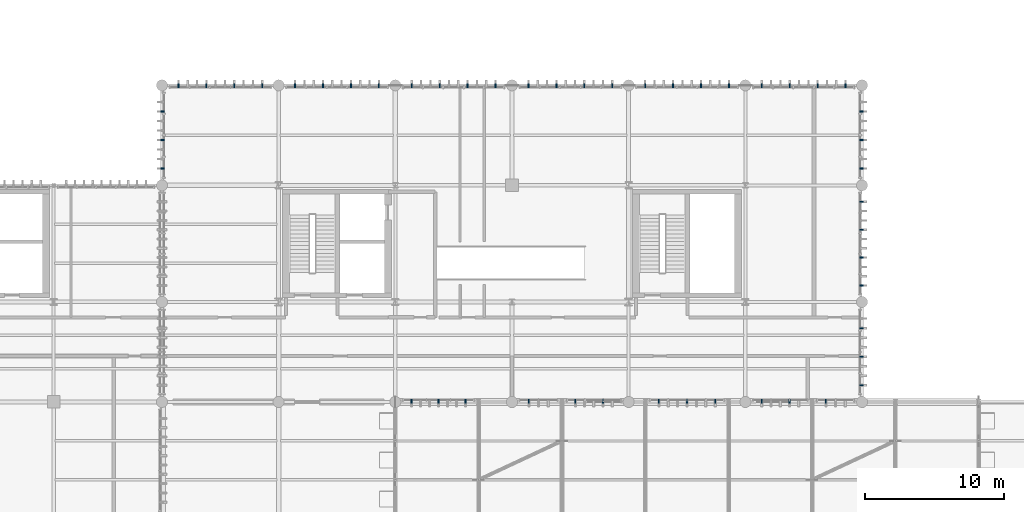
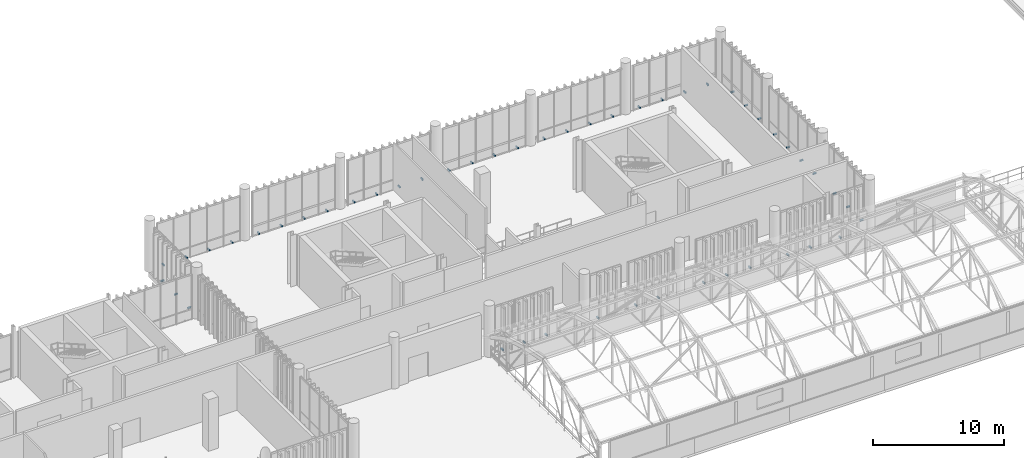
# One storey, part 99 of 109: 49 discrete accessories.
"""IFC4 building model written with IfcOpenShell, lengths in metres."""

from ifc_helpers import new_model, si_unit, direction, frame, origin_with_axes, origin_2d_with_axis, place, context, subcontext, project, spatial, rectangle, extrude, material, type_object, element, save


model = new_model("IFC4")

# Units and contexts
model_context = context("Model", 3, precision=1e-05, world=origin_with_axes(), true_north=direction((0.0, 1.0)))
body_context = subcontext(model_context, "Body", "Model", "MODEL_VIEW")
ifc_project = project(units=[si_unit("LENGTHUNIT", "METRE"), si_unit("AREAUNIT", "SQUARE_METRE"), si_unit("VOLUMEUNIT", "CUBIC_METRE"), si_unit("PLANEANGLEUNIT", "RADIAN"), si_unit("MASSUNIT", "GRAM", prefix="KILO"), si_unit("THERMODYNAMICTEMPERATUREUNIT", "KELVIN")], contexts=[model_context])

# Site, building, storey
site_placement = place(None, origin_with_axes())
site = spatial("IfcSite", under=ifc_project, at=site_placement, CompositionType="ELEMENT")
building_placement = place(site_placement, origin_with_axes())
building = spatial("IfcBuilding", under=site, at=building_placement, Name="Montbau Bow Law Courts", CompositionType="ELEMENT")
storey_placement = place(building_placement, frame((0.0, 0.0, 10.8), z_axis=(0.0, 0.0, 1.0), x_axis=(1.0, 0.0, 0.0)))
storey = spatial("IfcBuildingStorey", under=building, at=storey_placement, Name="L02", CompositionType="ELEMENT", Elevation=10.8)

# Discrete accessories
ifc_material = material(Name="Stainless Steel AISI 316L Outrigger Louvre Bracket", Category="steel")
discrete_accessory_type = type_object("IfcDiscreteAccessoryType", Name="DA-BRK-01", PredefinedType="BRACKET", material=ifc_material)
for number, where, z_axis, x_axis, name in (
    (1, (64.764, 39.04, 10.8), (0.0, 0.0, 1.0), (0.0, -1.0, 0.0), "BRK-L02-0535:brk_0535"),
    (2, (66.709, 39.04, 10.8), (0.0, 0.0, 1.0), (0.0, -1.0, 0.0), "BRK-L02-0536:brk_0536"),
    (3, (68.655, 39.04, 10.8), (0.0, 0.0, 1.0), (0.0, -1.0, 0.0), "BRK-L02-0537:brk_0537"),
    (4, (73.212, 39.04, 10.8), (0.0, 0.0, 1.0), (0.0, -1.0, 0.0), "BRK-L02-0538:brk_0538"),
    (5, (76.562, 39.04, 10.8), (0.0, 0.0, 1.0), (0.0, -1.0, 0.0), "BRK-L02-0539:brk_0539"),
    (6, (78.556, 39.04, 10.8), (0.0, 0.0, 1.0), (0.0, -1.0, 0.0), "BRK-L02-0540:brk_0540"),
    (7, (82.573, 39.04, 10.8), (0.0, 0.0, 1.0), (0.0, -1.0, 0.0), "BRK-L02-0541:brk_0541"),
    (8, (84.6, 39.04, 10.8), (0.0, 0.0, 1.0), (0.0, -1.0, 0.0), "BRK-L02-0542:brk_0542"),
    (9, (86.627, 39.04, 10.8), (0.0, 0.0, 1.0), (0.0, -1.0, 0.0), "BRK-L02-0543:brk_0543"),
    (10, (89.98, 39.04, 10.8), (0.0, 0.0, 1.0), (0.0, -1.0, 0.0), "BRK-L02-0544:brk_0544"),
    (11, (91.974, 39.04, 10.8), (0.0, 0.0, 1.0), (0.0, -1.0, 0.0), "BRK-L02-0545:brk_0545"),
    (12, (94.594, 39.04, 10.8), (0.0, 0.0, 1.0), (0.0, -1.0, 0.0), "BRK-L02-0546:brk_0546"),
    (13, (47.985, 61.76, 10.8), (0.0, 0.0, 1.0), (0.0, 1.0, 0.0), "BRK-L02-0547:brk_0547"),
    (14, (49.995, 61.76, 10.8), (0.0, 0.0, 1.0), (0.0, 1.0, 0.0), "BRK-L02-0548:brk_0548"),
    (15, (52.005, 61.76, 10.8), (0.0, 0.0, 1.0), (0.0, 1.0, 0.0), "BRK-L02-0549:brk_0549"),
    (16, (54.015, 61.76, 10.8), (0.0, 0.0, 1.0), (0.0, 1.0, 0.0), "BRK-L02-0550:brk_0550"),
    (17, (56.385, 61.76, 10.8), (0.0, 0.0, 1.0), (0.0, 1.0, 0.0), "BRK-L02-0551:brk_0551"),
    (18, (58.395, 61.76, 10.8), (0.0, 0.0, 1.0), (0.0, 1.0, 0.0), "BRK-L02-0552:brk_0552"),
    (19, (60.405, 61.76, 10.8), (0.0, 0.0, 1.0), (0.0, 1.0, 0.0), "BRK-L02-0553:brk_0553"),
    (20, (62.415, 61.76, 10.8), (0.0, 0.0, 1.0), (0.0, 1.0, 0.0), "BRK-L02-0554:brk_0554"),
    (21, (64.785, 61.76, 10.8), (0.0, 0.0, 1.0), (0.0, 1.0, 0.0), "BRK-L02-0555:brk_0555"),
    (22, (66.795, 61.76, 10.8), (0.0, 0.0, 1.0), (0.0, 1.0, 0.0), "BRK-L02-0556:brk_0556"),
    (23, (68.805, 61.76, 10.8), (0.0, 0.0, 1.0), (0.0, 1.0, 0.0), "BRK-L02-0557:brk_0557"),
    (24, (70.815, 61.76, 10.8), (0.0, 0.0, 1.0), (0.0, 1.0, 0.0), "BRK-L02-0558:brk_0558"),
    (25, (73.185, 61.76, 10.8), (0.0, 0.0, 1.0), (0.0, 1.0, 0.0), "BRK-L02-0559:brk_0559"),
    (26, (75.195, 61.76, 10.8), (0.0, 0.0, 1.0), (0.0, 1.0, 0.0), "BRK-L02-0560:brk_0560"),
    (27, (77.205, 61.76, 10.8), (0.0, 0.0, 1.0), (0.0, 1.0, 0.0), "BRK-L02-0561:brk_0561"),
    (28, (79.215, 61.76, 10.8), (0.0, 0.0, 1.0), (0.0, 1.0, 0.0), "BRK-L02-0562:brk_0562"),
    (29, (81.585, 61.76, 10.8), (0.0, 0.0, 1.0), (0.0, 1.0, 0.0), "BRK-L02-0563:brk_0563"),
    (30, (83.595, 61.76, 10.8), (0.0, 0.0, 1.0), (0.0, 1.0, 0.0), "BRK-L02-0564:brk_0564"),
    (31, (85.605, 61.76, 10.8), (0.0, 0.0, 1.0), (0.0, 1.0, 0.0), "BRK-L02-0565:brk_0565"),
    (32, (87.615, 61.76, 10.8), (0.0, 0.0, 1.0), (0.0, 1.0, 0.0), "BRK-L02-0566:brk_0566"),
    (33, (89.985, 61.76, 10.8), (0.0, 0.0, 1.0), (0.0, 1.0, 0.0), "BRK-L02-0567:brk_0567"),
    (34, (91.995, 61.76, 10.8), (0.0, 0.0, 1.0), (0.0, 1.0, 0.0), "BRK-L02-0568:brk_0568"),
    (35, (94.005, 61.76, 10.8), (0.0, 0.0, 1.0), (0.0, 1.0, 0.0), "BRK-L02-0569:brk_0569"),
    (36, (96.015, 61.76, 10.8), (0.0, 0.0, 1.0), (0.0, 1.0, 0.0), "BRK-L02-0570:brk_0570"),
    (37, (46.84, 55.801, 10.8), (0.0, 0.0, 1.0), (-1.0, 0.0, 0.0), "BRK-L02-0578:brk_0578"),
    (38, (46.84, 57.857, 10.8), (0.0, 0.0, 1.0), (-1.0, 0.0, 0.0), "BRK-L02-0579:brk_0579"),
    (39, (46.84, 59.914, 10.8), (0.0, 0.0, 1.0), (-1.0, 0.0, 0.0), "BRK-L02-0580:brk_0580"),
    (40, (97.16, 40.201, 10.8), (0.0, 0.0, 1.0), (1.0, 0.0, 0.0), "BRK-L02-0581:brk_0581"),
    (41, (97.16, 42.257, 10.8), (0.0, 0.0, 1.0), (1.0, 0.0, 0.0), "BRK-L02-0582:brk_0582"),
    (42, (97.16, 44.314, 10.8), (0.0, 0.0, 1.0), (1.0, 0.0, 0.0), "BRK-L02-0583:brk_0583"),
    (43, (97.16, 47.385, 10.8), (0.0, 0.0, 1.0), (1.0, 0.0, 0.0), "BRK-L02-0584:brk_0584"),
    (44, (97.16, 49.395, 10.8), (0.0, 0.0, 1.0), (1.0, 0.0, 0.0), "BRK-L02-0585:brk_0585"),
    (45, (97.16, 51.405, 10.8), (0.0, 0.0, 1.0), (1.0, 0.0, 0.0), "BRK-L02-0586:brk_0586"),
    (46, (97.16, 53.415, 10.8), (0.0, 0.0, 1.0), (1.0, 0.0, 0.0), "BRK-L02-0587:brk_0587"),
    (47, (97.16, 55.801, 10.8), (0.0, 0.0, 1.0), (1.0, 0.0, 0.0), "BRK-L02-0588:brk_0588"),
    (48, (97.16, 57.857, 10.8), (0.0, 0.0, 1.0), (1.0, 0.0, 0.0), "BRK-L02-0589:brk_0589"),
    (49, (97.16, 59.914, 10.8), (0.0, 0.0, 1.0), (1.0, 0.0, 0.0), "BRK-L02-0590:brk_0590"),
):
    element("IfcDiscreteAccessory", number, at=place(None, frame(where, z_axis=z_axis, x_axis=x_axis)), inside=storey, type_object=discrete_accessory_type, Name=name, PredefinedType="BRACKET", context=body_context, shape_type="SweptSolid", body=[
        extrude(rectangle(XDim=0.28, YDim=0.09, at=origin_2d_with_axis()), origin_with_axes(), (0.0, 0.0, 1.0), 0.12),
    ])

save(model, "model.ifc")
